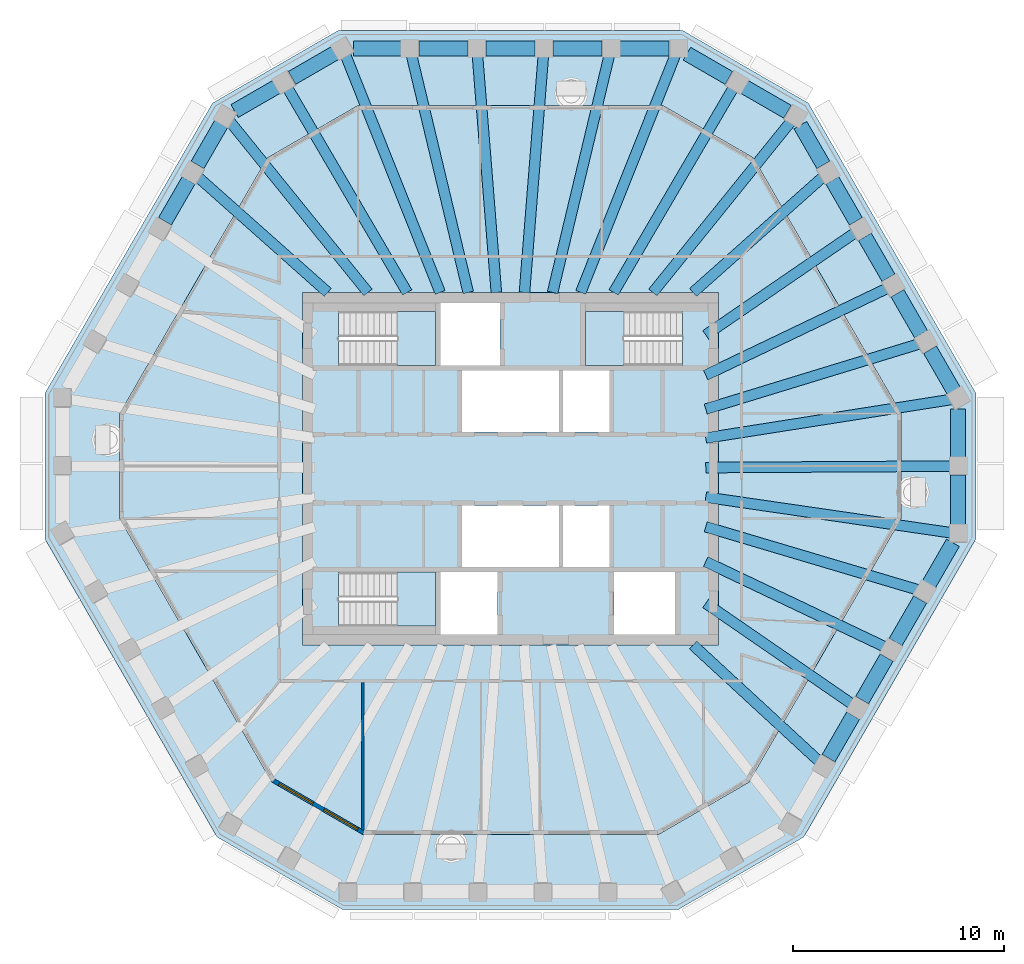
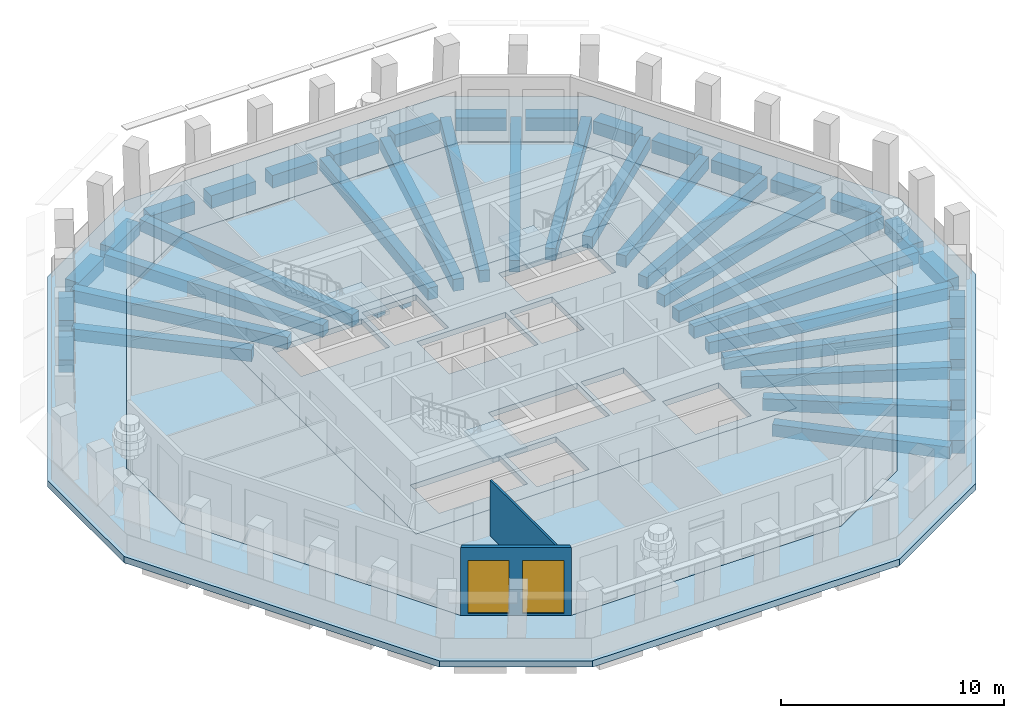
# One storey, part 2 of 11: 44 beams, 6 slabs, 2 walls, 2 windows, 2 openings, 3 elements without a shape of their own.
"""IFC4 building model written with IfcOpenShell, lengths in metres."""

import ifcopenshell
import ifcopenshell.guid

model = None  # the IFC model being written
_history = None  # IfcOwnerHistory: only IFC2X3 demands one
_inside = {}  # id of a spatial element -> (the spatial element, [elements in it])
_under = {}  # id of a project, library or spatial element -> (it, [spatial elements below it])
_declared = {}  # id of a project -> (the project, [libraries it declares])
_typed = {}  # id of a type object -> (the type object, [elements of that type])
_made_of = {}  # id of a material, layer set ... -> (it, [elements and type objects made of it])


def new_model(schema):
    """Start an empty IFC model of exactly this schema.

    Asked for "IFC4X3", IfcOpenShell would pick the latest addendum, in which some entities
    have other attributes; the version numbers below select the first issue.
    IFC2X3 requires an IfcOwnerHistory on every rooted entity: one is made here for all.
    """
    global model, _history
    if schema == "IFC4X3":
        model = ifcopenshell.file(schema_version=(4, 3, 0, 0))
    else:
        model = ifcopenshell.file(schema=schema)
    _inside.clear()
    _under.clear()
    _declared.clear()
    _typed.clear()
    _made_of.clear()
    _history = None
    if model.schema == "IFC2X3":
        org = make("IfcOrganization", Name="unknown")
        user = make(
            "IfcPersonAndOrganization",
            ThePerson=make("IfcPerson", FamilyName="unknown"),
            TheOrganization=org,
        )
        app = make(
            "IfcApplication",
            ApplicationDeveloper=org,
            Version="unknown",
            ApplicationFullName="unknown",
            ApplicationIdentifier="unknown",
        )
        _history = make(
            "IfcOwnerHistory",
            OwningUser=user,
            OwningApplication=app,
            ChangeAction="ADDED",
            CreationDate=0,
        )
    return model


def make(cls, **values):
    """One entity of the class cls with the attributes given. An attribute that is None is left unset."""
    return model.create_entity(
        cls, **{name: value for name, value in values.items() if value is not None}
    )


def rooted(cls, **values):
    """An entity with a GlobalId (a new one), such as an element, a storey or a relation."""
    return make(cls, GlobalId=ifcopenshell.guid.new(), OwnerHistory=_history, **values)


def si_unit(unit_type, name, prefix=None):
    """IfcSIUnit, for example si_unit("LENGTHUNIT", "METRE", prefix="MILLI")."""
    return make("IfcSIUnit", UnitType=unit_type, Prefix=prefix, Name=name)


def assignment(units):
    """IfcUnitAssignment: the units of a project."""
    return None if units is None else make("IfcUnitAssignment", Units=units)


def point(xyz):
    """IfcCartesianPoint."""
    return None if xyz is None else make("IfcCartesianPoint", Coordinates=xyz)


def direction(xyz):
    """IfcDirection."""
    return None if xyz is None else make("IfcDirection", DirectionRatios=xyz)


def frame(location, z_axis=None, x_axis=None):
    """IfcAxis2Placement3D, a coordinate frame: its origin and axes. An axis left out is left unset."""
    return make(
        "IfcAxis2Placement3D",
        Location=point(location),
        Axis=direction(z_axis),
        RefDirection=direction(x_axis),
    )


def frame_2d(location, x_axis=None):
    """IfcAxis2Placement2D, a coordinate frame in the plane: its origin and x axis."""
    return make(
        "IfcAxis2Placement2D", Location=point(location), RefDirection=direction(x_axis)
    )


def origin():
    """The frame at (0, 0, 0) with its axes left unset."""
    return frame((0.0, 0.0, 0.0))


def origin_2d():
    """The frame at (0, 0) in the plane with its x axis left unset."""
    return frame_2d((0.0, 0.0))


def place(relative_to, where):
    """IfcLocalPlacement: puts the frame where relative to a parent placement (None: the world)."""
    return make(
        "IfcLocalPlacement", PlacementRelTo=relative_to, RelativePlacement=where
    )


def context(
    kind, dimensions, precision=None, world=None, true_north=None, identifier=None
):
    """IfcGeometricRepresentationContext, for example the 3D "Model" context."""
    return make(
        "IfcGeometricRepresentationContext",
        ContextIdentifier=identifier,
        ContextType=kind,
        CoordinateSpaceDimension=dimensions,
        Precision=precision,
        WorldCoordinateSystem=world,
        TrueNorth=true_north,
    )


def subcontext(parent, identifier, kind, view, scale=None):
    """IfcGeometricRepresentationSubContext, for example "Body" below "Model"."""
    return make(
        "IfcGeometricRepresentationSubContext",
        ContextIdentifier=identifier,
        ContextType=kind,
        ParentContext=parent,
        TargetScale=scale,
        TargetView=view,
    )


def project(units=None, contexts=None):
    """IfcProject with its units and contexts."""
    return rooted(
        "IfcProject",
        Name="project",
        RepresentationContexts=contexts,
        UnitsInContext=assignment(units),
    )


def spatial(cls, under=None, at=None, **own):
    """A site, building, storey or space (cls), placed at a placement, below another one or the project."""
    s = rooted(cls, ObjectPlacement=at, **own)
    if under is not None:
        _under.setdefault(under.id(), (under, []))[1].append(s)
    return s


def polyline(points):
    """IfcPolyline through the points."""
    return make("IfcPolyline", Points=[point(p) for p in points])


def profile(cls, at=None, kind="AREA", **sizes):
    """A parametric profile (cls). Its sizes go by their IFC names, for example OverallWidth=200.0."""
    return make(cls, ProfileType=kind, Position=at, **sizes)


def rectangle(**sizes):
    """IfcRectangleProfileDef."""
    return profile("IfcRectangleProfileDef", **sizes)


def outline(outer, holes=None, kind="AREA"):
    """IfcArbitraryClosedProfileDef: a profile drawn as a closed curve; with holes, ...WithVoids."""
    if holes is None:
        return make("IfcArbitraryClosedProfileDef", ProfileType=kind, OuterCurve=outer)
    return make(
        "IfcArbitraryProfileDefWithVoids",
        ProfileType=kind,
        OuterCurve=outer,
        InnerCurves=holes,
    )


def extrude(swept, where, along, depth):
    """IfcExtrudedAreaSolid: the profile swept, set in the frame where, extruded along a direction by depth."""
    return make(
        "IfcExtrudedAreaSolid",
        SweptArea=swept,
        Position=where,
        ExtrudedDirection=direction(along),
        Depth=depth,
    )


def shape(context_of_items, identifier, shape_type, items):
    """IfcShapeRepresentation: the items that make up one representation, for example the "Body"."""
    return make(
        "IfcShapeRepresentation",
        ContextOfItems=context_of_items,
        RepresentationIdentifier=identifier,
        RepresentationType=shape_type,
        Items=items,
    )


def material(Name=None, Category=None):
    """IfcMaterial."""
    return make("IfcMaterial", Name=Name, Category=Category)


def layer(
    of_material, thickness, ventilated=None, Name=None, Category=None, Priority=None
):
    """IfcMaterialLayer: one layer of a wall or slab, of a material (None: an air gap)."""
    return make(
        "IfcMaterialLayer",
        Material=of_material,
        LayerThickness=thickness,
        IsVentilated=ventilated,
        Name=Name,
        Category=Category,
        Priority=Priority,
    )


def layer_set(layers, Name=None):
    """IfcMaterialLayerSet."""
    return make("IfcMaterialLayerSet", MaterialLayers=layers, LayerSetName=Name)


def material_profile(
    of_material, cross_section, Name=None, Category=None, Priority=None
):
    """IfcMaterialProfile: a cross section and its material."""
    return make(
        "IfcMaterialProfile",
        Name=Name,
        Material=of_material,
        Profile=cross_section,
        Priority=Priority,
        Category=Category,
    )


def profile_set(profiles, Name=None, composite=None):
    """IfcMaterialProfileSet."""
    return make(
        "IfcMaterialProfileSet",
        Name=Name,
        MaterialProfiles=profiles,
        CompositeProfile=composite,
    )


def made_of(thing, what):
    """Note that an element or type object is made of a material, layer set ...; save() writes the relation."""
    if what is not None:
        _made_of.setdefault(what.id(), (what, []))[1].append(thing)
    return thing


def type_object(cls, material=None, **own):
    """A type object (cls), such as IfcWallType, which elements share."""
    return made_of(rooted(cls, **own), material)


def element(
    cls,
    number,
    at=None,
    inside=None,
    cuts=None,
    type_object=None,
    material=None,
    context=None,
    identifier="Body",
    shape_type=None,
    held_by="IfcProductDefinitionShape",
    body=None,
    shapes=None,
    **own,
):
    """One element of the class cls, such as IfcWall. Its Tag is "e" and its number.

    at: its placement. inside: the storey or other place that contains it. cuts: it is an
    opening in that element (IfcRelVoidsElement). A single representation is given by context,
    identifier, shape_type and body (its items); several are given by shapes. held_by: the class
    of the entity that holds the representations. save() writes the other relations.
    """
    e = rooted(cls, Tag="e%d" % number, ObjectPlacement=at, **own)
    if body is not None:
        shapes = [shape(context, identifier, shape_type, body)]
    if shapes is not None:
        e.Representation = make(held_by, Representations=shapes)
    if inside is not None:
        _inside.setdefault(inside.id(), (inside, []))[1].append(e)
    if cuts is not None:
        rooted(
            "IfcRelVoidsElement", RelatingBuildingElement=cuts, RelatedOpeningElement=e
        )
    if type_object is not None:
        _typed.setdefault(type_object.id(), (type_object, []))[1].append(e)
    return made_of(e, material)


def fill(opening, filler):
    """IfcRelFillsElement: the door or window that sits in an opening."""
    return rooted(
        "IfcRelFillsElement",
        RelatingOpeningElement=opening,
        RelatedBuildingElement=filler,
    )


def aggregate(whole, parts):
    """IfcRelAggregates: a whole, such as a stair, and the parts it consists of."""
    return rooted("IfcRelAggregates", RelatingObject=whole, RelatedObjects=parts)


def save(model, path):
    """Write the relations noted so far, then the file.

    IfcRelAggregates (storeys below a building ...), IfcRelContainedInSpatialStructure (elements
    in a storey), IfcRelDefinesByType, IfcRelAssociatesMaterial and IfcRelDeclares: one each for
    every whole, place, type object, material and project.
    """
    for whole, parts in _under.values():
        aggregate(whole, parts)
    for where, things in _inside.values():
        rooted(
            "IfcRelContainedInSpatialStructure",
            RelatedElements=things,
            RelatingStructure=where,
        )
    for kind, things in _typed.values():
        rooted("IfcRelDefinesByType", RelatedObjects=things, RelatingType=kind)
    for what, things in _made_of.values():
        rooted("IfcRelAssociatesMaterial", RelatedObjects=things, RelatingMaterial=what)
    for by, libraries in _declared.values():
        rooted("IfcRelDeclares", RelatingContext=by, RelatedDefinitions=libraries)
    model.write(path)


model = new_model("IFC4")

# Units and contexts
model_context = context("Model", 3, precision=1e-05, world=origin(), true_north=direction((0.0, 1.0)))
body_context = subcontext(model_context, "Body", "Model", "MODEL_VIEW")
ifc_project = project(units=[si_unit("LENGTHUNIT", "METRE"), si_unit("AREAUNIT", "SQUARE_METRE"), si_unit("VOLUMEUNIT", "CUBIC_METRE"), si_unit("PLANEANGLEUNIT", "RADIAN"), si_unit("MASSUNIT", "GRAM", prefix="KILO")], contexts=[model_context])

# Site, building, storey
site_placement = place(None, origin())
site = spatial("IfcSite", under=ifc_project, at=site_placement, CompositionType="ELEMENT")
building_placement = place(site_placement, origin())
building = spatial("IfcBuilding", under=site, at=building_placement, Name="Frailejon Research Tower", CompositionType="ELEMENT")
storey_placement = place(building_placement, frame((0.0, 0.0, 312.60009765625)))
storey = spatial("IfcBuildingStorey", under=building, at=storey_placement, Name="L69", CompositionType="ELEMENT", Elevation=312.60009765625)

# Beams
ifc_material_1 = material(Name="Concrete C60/75", Category="concrete")
ifc_material_profile_1 = material_profile(ifc_material_1, rectangle(XDim=0.5, YDim=0.64990234375, at=origin_2d()), Name="Girder 500x650")
ifc_profile_set_1 = profile_set([ifc_material_profile_1], Name="Concrete C60/75")
beam_type_1 = type_object("IfcBeamType", Name="Girder 500x650", PredefinedType="BEAM", material=ifc_profile_set_1)
beam_1_placement = place(storey_placement, frame((20.923583984375, -3.040283203125, -0.625), z_axis=(-0.989606797649, 0.143799812403, 0.0), x_axis=(-0.143799812403, -0.989606797649, 0.0)))
element("IfcBeam", 1, at=beam_1_placement, inside=storey, type_object=beam_type_1, Name="Girder 500x650", PredefinedType="BEAM", context=body_context, shape_type="SweptSolid", body=[
    extrude(rectangle(XDim=0.5, YDim=0.64990234375, at=origin_2d()), origin(), (0.0, 0.0, 1.0), 11.796142578125),
])
beam_2_placement = place(storey_placement, frame((20.925048828125, 0.1240234375, -0.625), z_axis=(-0.999982365714, -0.005938708765, 0.0), x_axis=(0.005938708765, -0.999982365714, 0.0)))
element("IfcBeam", 2, at=beam_2_placement, inside=storey, type_object=beam_type_1, Name="Girder 500x650", PredefinedType="BEAM", context=body_context, shape_type="SweptSolid", body=[
    extrude(rectangle(XDim=0.5, YDim=0.64990234375, at=origin_2d()), origin(), (0.0, 0.0, 1.0), 11.67529296875),
])
beam_3_placement = place(storey_placement, frame((20.8984375, 3.284423828125, -0.625), z_axis=(-0.987872679691, -0.155266122254, 0.0), x_axis=(0.155266122254, -0.987872679691, 0.0)))
element("IfcBeam", 3, at=beam_3_placement, inside=storey, type_object=beam_type_1, Name="Girder 500x650", PredefinedType="BEAM", context=body_context, shape_type="SweptSolid", body=[
    extrude(rectangle(XDim=0.5, YDim=0.64990234375, at=origin_2d()), origin(), (0.0, 0.0, 1.0), 11.79150390625),
])
beam_4_placement = place(storey_placement, frame((19.383544921875, 5.920654296875, -0.625), z_axis=(-0.956381794636, -0.292119603739, 0.0), x_axis=(0.292119603739, -0.956381794636, 0.0)))
element("IfcBeam", 4, at=beam_4_placement, inside=storey, type_object=beam_type_1, Name="Girder 500x650", PredefinedType="BEAM", context=body_context, shape_type="SweptSolid", body=[
    extrude(rectangle(XDim=0.5, YDim=0.64990234375, at=origin_2d()), origin(), (0.0, 0.0, 1.0), 10.595703125),
])
beam_5_placement = place(storey_placement, frame((17.864990234375, 8.557373046875, -0.625), z_axis=(-0.901869348381, -0.432008887003, 0.0), x_axis=(0.432008887003, -0.901869348381, 0.0)))
element("IfcBeam", 5, at=beam_5_placement, inside=storey, type_object=beam_type_1, Name="Girder 500x650", PredefinedType="BEAM", context=body_context, shape_type="SweptSolid", body=[
    extrude(rectangle(XDim=0.5, YDim=0.64990234375, at=origin_2d()), origin(), (0.0, 0.0, 1.0), 9.552490234375),
])
beam_6_placement = place(storey_placement, frame((16.343505859375, 11.193115234375, -0.625), z_axis=(-0.825052254078, -0.565056437925, 0.0), x_axis=(0.565056437925, -0.825052254078, 0.0)))
element("IfcBeam", 6, at=beam_6_placement, inside=storey, type_object=beam_type_1, Name="Girder 500x650", PredefinedType="BEAM", context=body_context, shape_type="SweptSolid", body=[
    extrude(rectangle(XDim=0.5, YDim=0.64990234375, at=origin_2d()), origin(), (0.0, 0.0, 1.0), 8.59765625),
])
beam_7_placement = place(storey_placement, frame((14.816162109375, 13.832763671875, -0.625), z_axis=(-0.747316260682, -0.664468514318, 0.0), x_axis=(0.664468514318, -0.747316260682, 0.0)))
element("IfcBeam", 7, at=beam_7_placement, inside=storey, type_object=beam_type_1, Name="Girder 500x650", PredefinedType="BEAM", context=body_context, shape_type="SweptSolid", body=[
    extrude(rectangle(XDim=0.5, YDim=0.64990234375, at=origin_2d()), origin(), (0.0, 0.0, 1.0), 8.251220703125),
])
beam_8_placement = place(storey_placement, frame((13.309326171875, 16.475830078125, -0.625), z_axis=(-0.628401843353, -0.777888888769, 0.0), x_axis=(0.777888888769, -0.628401843353, 0.0)))
element("IfcBeam", 8, at=beam_8_placement, inside=storey, type_object=beam_type_1, Name="Girder 500x650", PredefinedType="BEAM", context=body_context, shape_type="SweptSolid", body=[
    extrude(rectangle(XDim=0.5, YDim=0.64990234375, at=origin_2d()), origin(), (0.0, 0.0, 1.0), 10.44580078125),
])
beam_9_placement = place(storey_placement, frame((10.570068359375, 18.059814453125, -0.625), z_axis=(-0.505121252455, -0.863048388168, 0.0), x_axis=(0.863048388168, -0.505121252455, 0.0)))
element("IfcBeam", 9, at=beam_9_placement, inside=storey, type_object=beam_type_1, Name="Girder 500x650", PredefinedType="BEAM", context=body_context, shape_type="SweptSolid", body=[
    extrude(rectangle(XDim=0.5, YDim=0.64990234375, at=origin_2d()), origin(), (0.0, 0.0, 1.0), 11.25048828125),
])
beam_10_placement = place(storey_placement, frame((7.818603515625, 19.6142578125, -0.625), z_axis=(-0.370293493992, -0.928914812191, 0.0), x_axis=(0.928914812191, -0.370293493992, 0.0)))
element("IfcBeam", 10, at=beam_10_placement, inside=storey, type_object=beam_type_1, Name="Girder 500x650", PredefinedType="BEAM", context=body_context, shape_type="SweptSolid", body=[
    extrude(rectangle(XDim=0.5, YDim=0.64990234375, at=origin_2d()), origin(), (0.0, 0.0, 1.0), 12.126220703125),
])
beam_11_placement = place(storey_placement, frame((4.692626953125, 19.620849609375, -0.625), z_axis=(-0.232603971163, -0.97257153598, 0.0), x_axis=(0.97257153598, -0.232603971163, 0.0)))
element("IfcBeam", 11, at=beam_11_placement, inside=storey, type_object=beam_type_1, Name="Girder 500x650", PredefinedType="BEAM", context=body_context, shape_type="SweptSolid", body=[
    extrude(rectangle(XDim=0.5, YDim=0.64990234375, at=origin_2d()), origin(), (0.0, 0.0, 1.0), 11.588623046875),
])
for number, where, z_axis, x_axis, name in (
    (12, (1.564453125, 19.62451171875, -0.625), (-0.079457806948, -0.996838230063, 0.0), (0.996838230063, -0.079457806948, 0.0), "Girder 500x650"),
    (13, (-1.564453125, 19.62451171875, -0.625), (0.079457806948, -0.996838230063, 0.0), (0.996838230063, 0.079457806948, 0.0), "Girder 500x650"),
):
    element("IfcBeam", number, at=place(storey_placement, frame(where, z_axis=z_axis, x_axis=x_axis)), inside=storey, type_object=beam_type_1, Name=name, PredefinedType="BEAM", context=body_context, shape_type="SweptSolid", body=[
        extrude(rectangle(XDim=0.5, YDim=0.64990234375, at=origin_2d()), origin(), (0.0, 0.0, 1.0), 11.31005859375),
    ])
beam_12_placement = place(storey_placement, frame((-4.692626953125, 19.620849609375, -0.625), z_axis=(0.232603971163, -0.97257153598, 0.0), x_axis=(0.97257153598, 0.232603971163, 0.0)))
element("IfcBeam", 14, at=beam_12_placement, inside=storey, type_object=beam_type_1, Name="Girder 500x650", PredefinedType="BEAM", context=body_context, shape_type="SweptSolid", body=[
    extrude(rectangle(XDim=0.5, YDim=0.64990234375, at=origin_2d()), origin(), (0.0, 0.0, 1.0), 11.588623046875),
])
beam_13_placement = place(storey_placement, frame((-7.828857421875, 19.640380859375, -0.625), z_axis=(0.370282168273, -0.928919326884, 0.0), x_axis=(0.928919326884, 0.370282168273, 0.0)))
element("IfcBeam", 15, at=beam_13_placement, inside=storey, type_object=beam_type_1, Name="Girder 500x650", PredefinedType="BEAM", context=body_context, shape_type="SweptSolid", body=[
    extrude(rectangle(XDim=0.5, YDim=0.64990234375, at=origin_2d()), origin(), (0.0, 0.0, 1.0), 12.154296875),
])
beam_14_placement = place(storey_placement, frame((-10.570068359375, 18.059814453125, -0.625), z_axis=(0.505121252455, -0.863048388168, 0.0), x_axis=(0.863048388168, 0.505121252455, 0.0)))
element("IfcBeam", 16, at=beam_14_placement, inside=storey, type_object=beam_type_1, Name="Girder 500x650", PredefinedType="BEAM", context=body_context, shape_type="SweptSolid", body=[
    extrude(rectangle(XDim=0.5, YDim=0.64990234375, at=origin_2d()), origin(), (0.0, 0.0, 1.0), 11.25048828125),
])
beam_15_placement = place(storey_placement, frame((-13.29345703125, 16.456298828125, -0.625), z_axis=(0.628396546691, -0.777893167541, 0.0), x_axis=(0.777893167541, 0.628396546691, 0.0)))
element("IfcBeam", 17, at=beam_15_placement, inside=storey, type_object=beam_type_1, Name="Girder 500x650", PredefinedType="BEAM", context=body_context, shape_type="SweptSolid", body=[
    extrude(rectangle(XDim=0.5, YDim=0.64990234375, at=origin_2d()), origin(), (0.0, 0.0, 1.0), 10.420654296875),
])
beam_16_placement = place(storey_placement, frame((-14.816162109375, 13.832763671875, -0.625), z_axis=(0.747316260682, -0.664468514318, 0.0), x_axis=(0.664468514318, 0.747316260682, 0.0)))
element("IfcBeam", 18, at=beam_16_placement, inside=storey, type_object=beam_type_1, Name="Girder 500x650", PredefinedType="BEAM", context=body_context, shape_type="SweptSolid", body=[
    extrude(rectangle(XDim=0.5, YDim=0.64990234375, at=origin_2d()), origin(), (0.0, 0.0, 1.0), 8.251220703125),
])
beam_17_placement = place(storey_placement, frame((14.644287109375, -13.878173828125, -0.625), z_axis=(-0.7351213229, 0.677935572616, 0.0), x_axis=(-0.677935572616, -0.7351213229, 0.0)))
element("IfcBeam", 19, at=beam_17_placement, inside=storey, type_object=beam_type_1, Name="Girder 500x650", PredefinedType="BEAM", context=body_context, shape_type="SweptSolid", body=[
    extrude(rectangle(XDim=0.5, YDim=0.64990234375, at=origin_2d()), origin(), (0.0, 0.0, 1.0), 8.154296875),
])
beam_18_placement = place(storey_placement, frame((16.213134765625, -11.1669921875, -0.625), z_axis=(-0.823558859926, 0.567230820952, 0.0), x_axis=(-0.567230820952, -0.823558859926, 0.0)))
element("IfcBeam", 20, at=beam_18_placement, inside=storey, type_object=beam_type_1, Name="Girder 500x650", PredefinedType="BEAM", context=body_context, shape_type="SweptSolid", body=[
    extrude(rectangle(XDim=0.5, YDim=0.64990234375, at=origin_2d()), origin(), (0.0, 0.0, 1.0), 8.454833984375),
])
beam_19_placement = place(storey_placement, frame((17.777587890625, -8.45751953125, -0.625), z_axis=(-0.903009559687, 0.429620454719, 0.0), x_axis=(-0.429620454719, -0.903009559687, 0.0)))
element("IfcBeam", 21, at=beam_19_placement, inside=storey, type_object=beam_type_1, Name="Girder 500x650", PredefinedType="BEAM", context=body_context, shape_type="SweptSolid", body=[
    extrude(rectangle(XDim=0.5, YDim=0.64990234375, at=origin_2d()), origin(), (0.0, 0.0, 1.0), 9.443603515625),
])
beam_20_placement = place(storey_placement, frame((19.33837890625, -5.74658203125, -0.625), z_axis=(-0.958567519281, 0.284865426087, 0.0), x_axis=(-0.284865426087, -0.958567519281, 0.0)))
element("IfcBeam", 22, at=beam_20_placement, inside=storey, type_object=beam_type_1, Name="Girder 500x650", PredefinedType="BEAM", context=body_context, shape_type="SweptSolid", body=[
    extrude(rectangle(XDim=0.5, YDim=0.64990234375, at=origin_2d()), origin(), (0.0, 0.0, 1.0), 10.5244140625),
])
ifc_material_2 = material(Name="Concrete C60/75", Category="concrete")
ifc_material_profile_2 = material_profile(ifc_material_2, rectangle(XDim=0.699951171875, YDim=0.699951171875, at=origin_2d()), Name="Spandrel 700x700")
ifc_profile_set_2 = profile_set([ifc_material_profile_2], Name="Concrete C60/75")
beam_type_2 = type_object("IfcBeamType", Name="Spandrel 700x700", PredefinedType="BEAM", material=ifc_profile_set_2)
beam_21_placement = place(storey_placement, frame((21.2001953125, -2.655517578125, -0.7001953125), z_axis=(0.0, 1.0, 0.0), x_axis=(-1.0, 0.0, 0.0)))
element("IfcBeam", 23, at=beam_21_placement, inside=storey, type_object=beam_type_2, Name="Spandrel 700x700", PredefinedType="BEAM", context=body_context, shape_type="SweptSolid", body=[
    extrude(rectangle(XDim=0.699951171875, YDim=0.699951171875, at=origin_2d()), origin(), (0.0, 0.0, 1.0), 2.356201171875),
])
beam_22_placement = place(storey_placement, frame((21.2001953125, 0.55078125, -0.7001953125), z_axis=(0.0, 1.0, 0.0), x_axis=(-1.0, 0.0, 0.0)))
element("IfcBeam", 24, at=beam_22_placement, inside=storey, type_object=beam_type_2, Name="Spandrel 700x700", PredefinedType="BEAM", context=body_context, shape_type="SweptSolid", body=[
    extrude(rectangle(XDim=0.699951171875, YDim=0.699951171875, at=origin_2d()), origin(), (0.0, 0.0, 1.0), 2.290283203125),
])
beam_23_placement = place(storey_placement, frame((20.987548828125, 3.699951171875, -0.7001953125), z_axis=(-0.500050154224, 0.865996445293, 0.0), x_axis=(-0.865996445293, -0.500050154224, 0.0)))
element("IfcBeam", 25, at=beam_23_placement, inside=storey, type_object=beam_type_2, Name="Spandrel 700x700", PredefinedType="BEAM", context=body_context, shape_type="SweptSolid", body=[
    extrude(rectangle(XDim=0.699951171875, YDim=0.699951171875, at=origin_2d()), origin(), (0.0, 0.0, 1.0), 2.235595703125),
])
for number, where, z_axis, x_axis, name in (
    (26, (19.444580078125, 6.372314453125, -0.7001953125), (-0.500002867593, 0.866023748172, 0.0), (-0.866023748172, -0.500002867593, 0.0), "Spandrel 700x700"),
    (27, (17.901611328125, 9.044677734375, -0.7001953125), (-0.500002867593, 0.866023748172, 0.0), (-0.866023748172, -0.500002867593, 0.0), "Spandrel 700x700"),
):
    element("IfcBeam", number, at=place(storey_placement, frame(where, z_axis=z_axis, x_axis=x_axis)), inside=storey, type_object=beam_type_2, Name=name, PredefinedType="BEAM", context=body_context, shape_type="SweptSolid", body=[
        extrude(rectangle(XDim=0.699951171875, YDim=0.699951171875, at=origin_2d()), origin(), (0.0, 0.0, 1.0), 2.23583984375),
    ])
beam_24_placement = place(storey_placement, frame((16.35888671875, 11.71728515625, -0.7001953125), z_axis=(-0.500050154224, 0.865996445293, 0.0), x_axis=(-0.865996445293, -0.500050154224, 0.0)))
element("IfcBeam", 28, at=beam_24_placement, inside=storey, type_object=beam_type_2, Name="Spandrel 700x700", PredefinedType="BEAM", context=body_context, shape_type="SweptSolid", body=[
    extrude(rectangle(XDim=0.699951171875, YDim=0.699951171875, at=origin_2d()), origin(), (0.0, 0.0, 1.0), 2.235595703125),
])
beam_25_placement = place(storey_placement, frame((14.81591796875, 14.3896484375, -0.7001953125), z_axis=(-0.500095767086, 0.865970105571, 0.0), x_axis=(-0.865970105571, -0.500095767086, 0.0)))
element("IfcBeam", 29, at=beam_25_placement, inside=storey, type_object=beam_type_2, Name="Spandrel 700x700", PredefinedType="BEAM", context=body_context, shape_type="SweptSolid", body=[
    extrude(rectangle(XDim=0.699951171875, YDim=0.699951171875, at=origin_2d()), origin(), (0.0, 0.0, 1.0), 2.169921875),
])
beam_26_placement = place(storey_placement, frame((13.1171875, 16.906494140625, -0.7001953125), z_axis=(-0.866021643438, 0.500006513054, 0.0), x_axis=(-0.500006513054, -0.866021643438, 0.0)))
element("IfcBeam", 30, at=beam_26_placement, inside=storey, type_object=beam_type_2, Name="Spandrel 700x700", PredefinedType="BEAM", context=body_context, shape_type="SweptSolid", body=[
    extrude(rectangle(XDim=0.699951171875, YDim=0.699951171875, at=origin_2d()), origin(), (0.0, 0.0, 1.0), 2.35595703125),
])
beam_27_placement = place(storey_placement, frame((10.3408203125, 18.509521484375, -0.7001953125), z_axis=(-0.866043571379, 0.499968531483, 0.0), x_axis=(-0.499968531483, -0.866043571379, 0.0)))
element("IfcBeam", 31, at=beam_27_placement, inside=storey, type_object=beam_type_2, Name="Spandrel 700x700", PredefinedType="BEAM", context=body_context, shape_type="SweptSolid", body=[
    extrude(rectangle(XDim=0.699951171875, YDim=0.699951171875, at=origin_2d()), origin(), (0.0, 0.0, 1.0), 2.290283203125),
])
for number, where, z_axis, x_axis, name in (
    (32, (7.50732421875, 19.89990234375, -0.7001953125), (-1.0, 0.0, 0.0), (0.0, -1.0, 0.0), "Spandrel 700x700"),
    (33, (4.33447265625, 19.89990234375, -0.7001953125), (-1.0, 0.0, 0.0), (0.0, -1.0, 0.0), "Spandrel 700x700"),
):
    element("IfcBeam", number, at=place(storey_placement, frame(where, z_axis=z_axis, x_axis=x_axis)), inside=storey, type_object=beam_type_2, Name=name, PredefinedType="BEAM", context=body_context, shape_type="SweptSolid", body=[
        extrude(rectangle(XDim=0.699951171875, YDim=0.699951171875, at=origin_2d()), origin(), (0.0, 0.0, 1.0), 2.322998046875),
    ])
beam_28_placement = place(storey_placement, frame((1.16162109375, 19.89990234375, -0.7001953125), z_axis=(-1.0, 0.0, 0.0), x_axis=(0.0, -1.0, 0.0)))
element("IfcBeam", 34, at=beam_28_placement, inside=storey, type_object=beam_type_2, Name="Spandrel 700x700", PredefinedType="BEAM", context=body_context, shape_type="SweptSolid", body=[
    extrude(rectangle(XDim=0.699951171875, YDim=0.699951171875, at=origin_2d()), origin(), (0.0, 0.0, 1.0), 2.3232421875),
])
beam_29_placement = place(storey_placement, frame((-2.011474609375, 19.89990234375, -0.7001953125), z_axis=(-1.0, 0.0, 0.0), x_axis=(0.0, -1.0, 0.0)))
element("IfcBeam", 35, at=beam_29_placement, inside=storey, type_object=beam_type_2, Name="Spandrel 700x700", PredefinedType="BEAM", context=body_context, shape_type="SweptSolid", body=[
    extrude(rectangle(XDim=0.699951171875, YDim=0.699951171875, at=origin_2d()), origin(), (0.0, 0.0, 1.0), 2.322998046875),
])
beam_30_placement = place(storey_placement, frame((-5.184326171875, 19.89990234375, -0.7001953125), z_axis=(-1.0, 0.0, 0.0), x_axis=(0.0, -1.0, 0.0)))
element("IfcBeam", 36, at=beam_30_placement, inside=storey, type_object=beam_type_2, Name="Spandrel 700x700", PredefinedType="BEAM", context=body_context, shape_type="SweptSolid", body=[
    extrude(rectangle(XDim=0.699951171875, YDim=0.699951171875, at=origin_2d()), origin(), (0.0, 0.0, 1.0), 2.25732421875),
])
beam_31_placement = place(storey_placement, frame((-8.300537109375, 19.6875, -0.7001953125), z_axis=(-0.866021643438, -0.500006513054, 0.0), x_axis=(0.500006513054, -0.866021643438, 0.0)))
element("IfcBeam", 37, at=beam_31_placement, inside=storey, type_object=beam_type_2, Name="Spandrel 700x700", PredefinedType="BEAM", context=body_context, shape_type="SweptSolid", body=[
    extrude(rectangle(XDim=0.699951171875, YDim=0.699951171875, at=origin_2d()), origin(), (0.0, 0.0, 1.0), 2.35595703125),
])
beam_32_placement = place(storey_placement, frame((-11.076904296875, 18.08447265625, -0.7001953125), z_axis=(-0.86599741159, -0.500048480769, 0.0), x_axis=(0.500048480769, -0.86599741159, 0.0)))
element("IfcBeam", 38, at=beam_32_placement, inside=storey, type_object=beam_type_2, Name="Spandrel 700x700", PredefinedType="BEAM", context=body_context, shape_type="SweptSolid", body=[
    extrude(rectangle(XDim=0.699951171875, YDim=0.699951171875, at=origin_2d()), origin(), (0.0, 0.0, 1.0), 2.290283203125),
])
for number, where, z_axis, x_axis, name in (
    (39, (-13.697998046875, 16.32568359375, -0.7001953125), (-0.500050154224, -0.865996445293, 0.0), (0.865996445293, -0.500050154224, 0.0), "Spandrel 700x700"),
    (40, (-15.240966796875, 13.6533203125, -0.7001953125), (-0.500050154224, -0.865996445293, 0.0), (0.865996445293, -0.500050154224, 0.0), "Spandrel 700x700"),
):
    element("IfcBeam", number, at=place(storey_placement, frame(where, z_axis=z_axis, x_axis=x_axis)), inside=storey, type_object=beam_type_2, Name=name, PredefinedType="BEAM", context=body_context, shape_type="SweptSolid", body=[
        extrude(rectangle(XDim=0.699951171875, YDim=0.699951171875, at=origin_2d()), origin(), (0.0, 0.0, 1.0), 2.235595703125),
    ])
for number, where, z_axis, x_axis, name in (
    (41, (15.066650390625, -13.70361328125, -0.7001953125), (0.500049955442, 0.865996560076, 0.0), (-0.865996560076, 0.500049955442, 0.0), "Spandrel 700x700"),
    (42, (16.6533203125, -10.955810546875, -0.7001953125), (0.499971131976, 0.866042070104, 0.0), (-0.866042070104, 0.499971131976, 0.0), "Spandrel 700x700"),
    (43, (18.239501953125, -8.2080078125, -0.7001953125), (0.500049955442, 0.865996560076, 0.0), (-0.865996560076, 0.500049955442, 0.0), "Spandrel 700x700"),
):
    element("IfcBeam", number, at=place(storey_placement, frame(where, z_axis=z_axis, x_axis=x_axis)), inside=storey, type_object=beam_type_2, Name=name, PredefinedType="BEAM", context=body_context, shape_type="SweptSolid", body=[
        extrude(rectangle(XDim=0.699951171875, YDim=0.699951171875, at=origin_2d()), origin(), (0.0, 0.0, 1.0), 2.322998046875),
    ])
beam_33_placement = place(storey_placement, frame((19.826171875, -5.460205078125, -0.7001953125), z_axis=(0.499931562973, 0.866064912315, 0.0), x_axis=(-0.866064912315, 0.499931562973, 0.0)))
element("IfcBeam", 44, at=beam_33_placement, inside=storey, type_object=beam_type_2, Name="Spandrel 700x700", PredefinedType="BEAM", context=body_context, shape_type="SweptSolid", body=[
    extrude(rectangle(XDim=0.699951171875, YDim=0.699951171875, at=origin_2d()), origin(), (0.0, 0.0, 1.0), 2.257080078125),
])

# Slabs
ifc_material_3 = material(Name="Concrete C50/60", Category="concrete")
ifc_layer_1 = layer(ifc_material_3, 0.300048828125)
ifc_layer_set_1 = layer_set([ifc_layer_1], Name="Core floor slab 300 C50/60")
slab_type_1 = type_object("IfcSlabType", Name="Core floor slab 300 C50/60", PredefinedType="FLOOR", material=ifc_layer_set_1)
slab_1_placement = place(storey_placement, frame((0.0, 0.0, -0.300048828125)))
element("IfcSlab", 45, at=slab_1_placement, inside=storey, type_object=slab_type_1, Name="Core floor slab", PredefinedType="FLOOR", context=body_context, shape_type="SweptSolid", body=[
    extrude(outline(polyline([(9.85009765625, -8.35009765625), (9.85009765625, 8.35009765625), (-9.85009765625, 8.35009765625), (-9.85009765625, -8.35009765625), (9.85009765625, -8.35009765625)]), holes=[polyline([(2.300048828125, 1.75), (2.300048828125, 4.64990234375), (-2.300048828125, 4.64990234375), (-2.300048828125, 1.75), (2.300048828125, 1.75)]), polyline([(4.699951171875, 1.75), (4.699951171875, 4.64990234375), (2.5, 4.64990234375), (2.5, 1.75), (4.699951171875, 1.75)]), polyline([(2.300048828125, -4.64990234375), (2.300048828125, -1.75), (-2.300048828125, -1.75), (-2.300048828125, -4.64990234375), (2.300048828125, -4.64990234375)]), polyline([(4.699951171875, -4.64990234375), (4.699951171875, -1.75), (2.5, -1.75), (2.5, -4.64990234375), (4.699951171875, -4.64990234375)]), polyline([(-8.14697265625, 4.89990234375), (-3.550048828125, 4.89990234375), (-3.550048828125, 7.449951171875), (-8.14697265625, 7.449951171875), (-8.14697265625, 4.89990234375)]), polyline([(-8.14697265625, -7.449951171875), (-3.550048828125, -7.449951171875), (-3.550048828125, -4.89990234375), (-8.14697265625, -4.89990234375), (-8.14697265625, -7.449951171875)]), polyline([(8.14697265625, 7.449951171875), (3.550048828125, 7.449951171875), (3.550048828125, 4.89990234375), (8.14697265625, 4.89990234375), (8.14697265625, 7.449951171875)]), polyline([(-0.60009765625, -7.85009765625), (-0.60009765625, -4.89990234375), (-3.300048828125, -4.89990234375), (-3.300048828125, -7.85009765625), (-0.60009765625, -7.85009765625)]), polyline([(7.800048828125, -7.85009765625), (7.800048828125, -4.89990234375), (4.89990234375, -4.89990234375), (4.89990234375, -7.85009765625), (7.800048828125, -7.85009765625)]), polyline([(-0.5, 4.89990234375), (-0.5, 7.85009765625), (-3.300048828125, 7.85009765625), (-3.300048828125, 4.89990234375), (-0.5, 4.89990234375)])]), origin(), (0.0, 0.0, 1.0), 0.300048828125),
])
ifc_material_4 = material(Name="Concrete C40/50", Category="concrete")
ifc_layer_2 = layer(ifc_material_4, 0.35009765625)
ifc_layer_set_2 = layer_set([ifc_layer_2], Name="Loggia slab 350")
slab_type_2 = type_object("IfcSlabType", Name="Loggia slab 350", PredefinedType="USERDEFINED", material=ifc_layer_set_2)
slab_2_placement = place(storey_placement, frame((0.0, 0.0, -0.35009765625)))
element("IfcSlab", 46, at=slab_2_placement, inside=storey, type_object=slab_type_2, Name="Loggia slab L69", ObjectType="LOGGIA", PredefinedType="USERDEFINED", context=body_context, shape_type="SweptSolid", body=[
    extrude(outline(polyline([(13.889892578125, -17.44189453125), (7.9423828125, -20.875732421875), (-7.9423828125, -20.875732421875), (-13.889892578125, -17.44189453125), (-22.050048828125, -3.30810546875), (-22.050048828125, 3.5595703125), (-14.107666015625, 17.316162109375), (-8.16015625, 20.75), (8.16015625, 20.75), (14.107666015625, 17.316162109375), (22.050048828125, 3.5595703125), (22.050048828125, -3.30810546875), (13.889892578125, -17.44189453125)]), holes=[polyline([(18.5, 2.6083984375), (11.5087890625, 14.71728515625), (7.208984375, 17.199951171875), (-7.208984375, 17.199951171875), (-11.5087890625, 14.71728515625), (-18.5, 2.6083984375), (-18.5, -2.35693359375), (-11.291259765625, -14.843017578125), (-6.9912109375, -17.32568359375), (6.9912109375, -17.32568359375), (11.291259765625, -14.843017578125), (18.5, -2.35693359375), (18.5, 2.6083984375)])]), origin(), (0.0, 0.0, 1.0), 0.35009765625),
])
ifc_material_5 = material(Name="Concrete C40/50", Category="concrete")
ifc_layer_3 = layer(ifc_material_5, 0.300048828125)
ifc_layer_set_3 = layer_set([ifc_layer_3], Name="Slab typical 300")
slab_type_3 = type_object("IfcSlabType", Name="Slab typical 300", PredefinedType="FLOOR", material=ifc_layer_set_3)
slab_3_placement = place(storey_placement, frame((0.0, 0.0, -0.300048828125)))
element("IfcSlab", 47, at=slab_3_placement, inside=storey, type_object=slab_type_3, Name="Floor slab L69", PredefinedType="FLOOR", context=body_context, shape_type="SweptSolid", body=[
    extrude(outline(polyline([(18.5, -2.35693359375), (18.5, 2.6083984375), (11.5087890625, 14.71728515625), (7.208984375, 17.199951171875), (-7.208984375, 17.199951171875), (-11.5087890625, 14.71728515625), (-18.5, 2.6083984375), (-18.5, -2.35693359375), (-11.291259765625, -14.843017578125), (-6.9912109375, -17.32568359375), (6.9912109375, -17.32568359375), (11.291259765625, -14.843017578125), (18.5, -2.35693359375)]), holes=[polyline([(9.25, 8.35009765625), (9.85009765625, 8.35009765625), (9.85009765625, -8.35009765625), (9.25, -8.35009765625), (-9.25, -8.35009765625), (-9.85009765625, -8.35009765625), (-9.85009765625, 8.35009765625), (-9.25, 8.35009765625), (9.25, 8.35009765625)])]), origin(), (0.0, 0.0, 1.0), 0.300048828125),
])

# Stair, slab
ifc_material_6 = material(Name="Concrete C50/60", Category="concrete")
stair_type = type_object("IfcStairType", Name="Exit stair 22 risers", PredefinedType="HALF_TURN_STAIR", material=ifc_material_6)
stair_1_placement = place(storey_placement, origin())
stair_1 = element("IfcStair", 48, at=stair_1_placement, inside=storey, type_object=stair_type, Name="L69 Exit stair ST1", PredefinedType="HALF_TURN_STAIR")
ifc_material_7 = material(Name="Concrete C50/60", Category="concrete")
ifc_layer_4 = layer(ifc_material_7, 0.199951171875)
ifc_layer_set_4 = layer_set([ifc_layer_4], Name="Stair landing slab 200")
slab_type_4 = type_object("IfcSlabType", Name="Stair landing slab 200", PredefinedType="LANDING", material=ifc_layer_set_4)
slab_4_placement = place(storey_placement, frame((0.0, 0.0, 1.7998046875)))
slab_4 = element("IfcSlab", 49, at=slab_4_placement, type_object=slab_type_4, Name="ST1 landing 1", PredefinedType="LANDING", context=body_context, shape_type="SweptSolid", body=[
    extrude(outline(polyline([(-5.35009765625, 4.89990234375), (-3.550048828125, 4.89990234375), (-3.550048828125, 7.449951171875), (-5.35009765625, 7.449951171875), (-5.35009765625, 4.89990234375)])), origin(), (0.0, 0.0, 1.0), 0.2001953125),
])
aggregate(stair_1, [slab_4])

stair_2_placement = place(storey_placement, origin())
stair_2 = element("IfcStair", 50, at=stair_2_placement, inside=storey, type_object=stair_type, Name="L69 Exit stair ST2", PredefinedType="HALF_TURN_STAIR")
slab_5_placement = place(storey_placement, frame((0.0, 0.0, 1.7998046875)))
slab_5 = element("IfcSlab", 51, at=slab_5_placement, type_object=slab_type_4, Name="ST2 landing 1", PredefinedType="LANDING", context=body_context, shape_type="SweptSolid", body=[
    extrude(outline(polyline([(-5.35009765625, -7.449951171875), (-3.550048828125, -7.449951171875), (-3.550048828125, -4.89990234375), (-5.35009765625, -4.89990234375), (-5.35009765625, -7.449951171875)])), origin(), (0.0, 0.0, 1.0), 0.2001953125),
])
aggregate(stair_2, [slab_5])

stair_3_placement = place(storey_placement, origin())
stair_3 = element("IfcStair", 52, at=stair_3_placement, inside=storey, type_object=stair_type, Name="L69 Exit stair ST3", PredefinedType="HALF_TURN_STAIR")
slab_6_placement = place(storey_placement, frame((0.0, 0.0, 1.7998046875)))
slab_6 = element("IfcSlab", 53, at=slab_6_placement, type_object=slab_type_4, Name="ST3 landing 1", PredefinedType="LANDING", context=body_context, shape_type="SweptSolid", body=[
    extrude(outline(polyline([(5.35009765625, 7.449951171875), (3.550048828125, 7.449951171875), (3.550048828125, 4.89990234375), (5.35009765625, 4.89990234375), (5.35009765625, 7.449951171875)])), origin(), (0.0, 0.0, 1.0), 0.2001953125),
])
aggregate(stair_3, [slab_6])

# Wall
ifc_material_8 = material(Name="Gypsum board and masonry partition", Category="masonry")
ifc_layer_5 = layer(ifc_material_8, 0.10009765625)
ifc_layer_set_5 = layer_set([ifc_layer_5], Name="Partition, gypsum on steel studs 100")
wall_type_1 = type_object("IfcWallType", Name="Partition, gypsum on steel studs 100", PredefinedType="PARTITIONING", material=ifc_layer_set_5)
wall_1_placement = place(storey_placement, frame((-6.9912109375, -17.0947265625, 0.0), z_axis=(0.0, 0.0, 1.0), x_axis=(0.0, 1.0, 0.0)))
element("IfcWall", 54, at=wall_1_placement, inside=storey, type_object=wall_type_1, Name="T:IW:L69:022", PredefinedType="PARTITIONING", context=body_context, shape_type="SweptSolid", body=[
    extrude(rectangle(XDim=6.9697265625, YDim=0.10009765625, at=frame_2d((3.48486328125, 0.0))), origin(), (0.0, 0.0, 1.0), 3.0498046875),
])

# Wall, openings, windows
ifc_material_9 = material(Name="Concrete C40/50 precast window wall panel", Category="concrete")
ifc_layer_6 = layer(ifc_material_9, 0.199951171875)
ifc_layer_set_6 = layer_set([ifc_layer_6], Name="Window wall 200")
wall_type_2 = type_object("IfcWallType", Name="Window wall 200", PredefinedType="SOLIDWALL", material=ifc_layer_set_6)
wall_2_placement = place(storey_placement, frame((-11.218017578125, -14.77001953125, 0.0), z_axis=(0.0, 0.0, 1.0), x_axis=(0.866050666145, -0.499956241755, 0.0)))
wall_2 = element("IfcWall", 55, at=wall_2_placement, inside=storey, type_object=wall_type_2, Name="Exterior wall L69", PredefinedType="SOLIDWALL", context=body_context, shape_type="SweptSolid", body=[
    extrude(outline(polyline([(-0.02685546875, -0.10009765625), (1.21435546875, -0.10009765625), (2.455810546875, -0.10009765625), (3.697265625, -0.10009765625), (4.9384765625, -0.10009765625), (4.884765625, 0.10009765625), (3.67041015625, 0.10009765625), (2.455810546875, 0.10009765625), (1.2412109375, 0.10009765625), (0.02685546875, 0.10009765625), (-0.02685546875, -0.10009765625)])), origin(), (0.0, 0.0, 1.0), 3.699951171875),
])
opening_1_placement = place(wall_2_placement, frame((0.302978515625, 0.0, 0.10009765625)))
opening_1 = element("IfcOpeningElement", 56, at=opening_1_placement, cuts=wall_2, Name="Opening W26", PredefinedType="OPENING", context=body_context, shape_type="SweptSolid", body=[
    extrude(rectangle(XDim=1.85009765625, YDim=2.89990234375, at=frame_2d((0.925048828125, 1.449951171875))), frame((0.0, 0.10986328125, 0.0), z_axis=(0.0, -1.0, 0.0), x_axis=(1.0, 0.0, 0.0)), (0.0, 0.0, 1.0), 0.219970703125),
])
opening_2_placement = place(wall_2_placement, frame((2.7587890625, 0.0, 0.10009765625)))
opening_2 = element("IfcOpeningElement", 57, at=opening_2_placement, cuts=wall_2, Name="Opening W26", PredefinedType="OPENING", context=body_context, shape_type="SweptSolid", body=[
    extrude(rectangle(XDim=1.85009765625, YDim=2.89990234375, at=frame_2d((0.925048828125, 1.449951171875))), frame((0.0, 0.10986328125, 0.0), z_axis=(0.0, -1.0, 0.0), x_axis=(1.0, 0.0, 0.0)), (0.0, 0.0, 1.0), 0.219970703125),
])
ifc_material_10 = material(Name="Aluminium framed double glazing", Category="aluminium")
window_type = type_object("IfcWindowType", Name="Window 1850x2900", PartitioningType="SINGLE_PANEL", PredefinedType="WINDOW", material=ifc_material_10)
window_1_placement = place(opening_1_placement, origin())
window_1 = element("IfcWindow", 58, at=window_1_placement, inside=storey, type_object=window_type, Name="Window L69", OverallHeight=2.89990234375, OverallWidth=1.85009765625, PartitioningType="SINGLE_PANEL", PredefinedType="WINDOW", context=body_context, shape_type="SweptSolid", body=[
    extrude(rectangle(XDim=1.85009765625, YDim=2.89990234375, at=frame_2d((0.925048828125, 1.449951171875))), frame((0.0, 0.030029296875, 0.0), z_axis=(0.0, -1.0, 0.0), x_axis=(1.0, 0.0, 0.0)), (0.0, 0.0, 1.0), 0.06005859375),
])
fill(opening_1, window_1)
window_2_placement = place(opening_2_placement, origin())
window_2 = element("IfcWindow", 59, at=window_2_placement, inside=storey, type_object=window_type, Name="Window L69", OverallHeight=2.89990234375, OverallWidth=1.85009765625, PartitioningType="SINGLE_PANEL", PredefinedType="WINDOW", context=body_context, shape_type="SweptSolid", body=[
    extrude(rectangle(XDim=1.85009765625, YDim=2.89990234375, at=frame_2d((0.925048828125, 1.449951171875))), frame((0.0, 0.030029296875, 0.0), z_axis=(0.0, -1.0, 0.0), x_axis=(1.0, 0.0, 0.0)), (0.0, 0.0, 1.0), 0.06005859375),
])
fill(opening_2, window_2)

save(model, "model.ifc")
